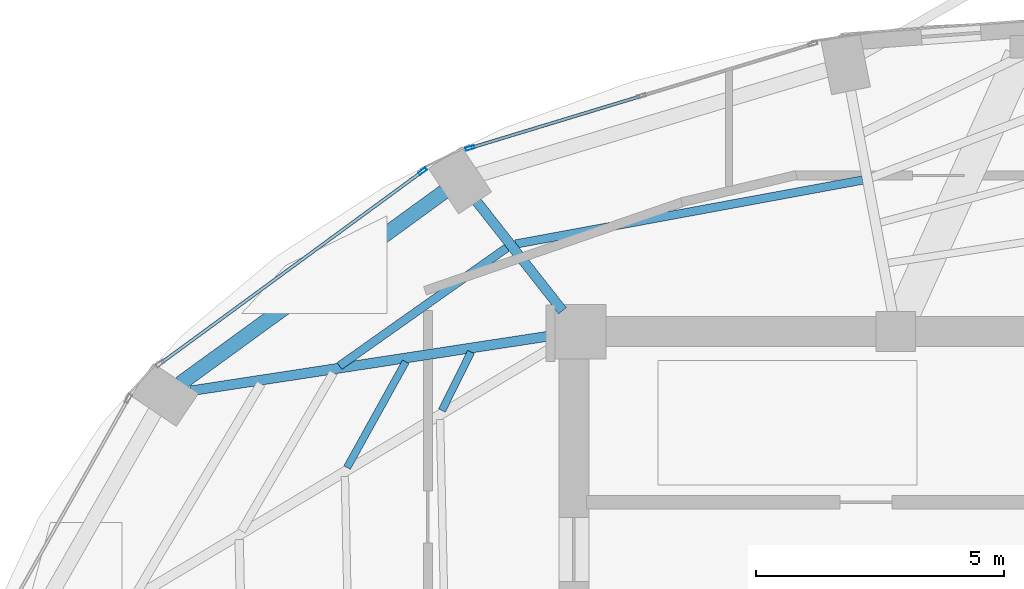
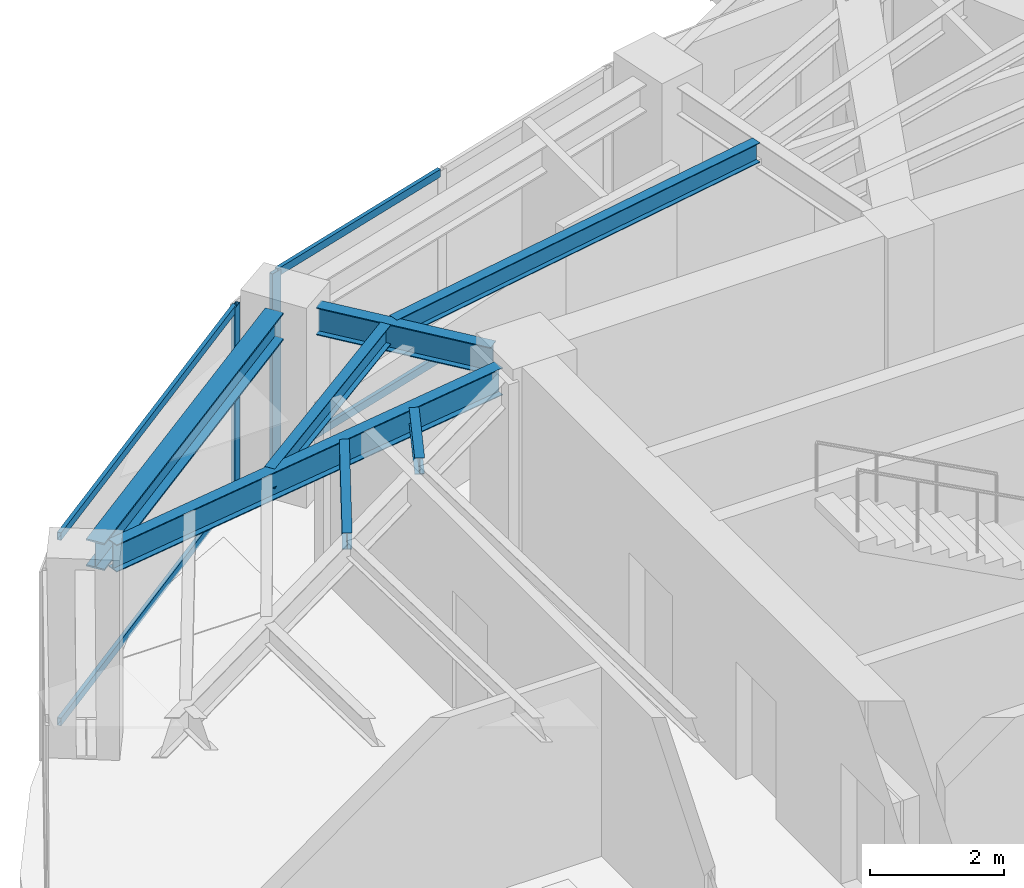
# One storey, part 8 of 21: 7 beams, 6 members, 2 elements without a shape of their own.
"""IFC4 building model written with IfcOpenShell, lengths in metres."""

from ifc_helpers import new_model, si_unit, direction, frame, origin, origin_2d, place, context, subcontext, project, spatial, hollow_rectangle, i_section, extrude, material, layer, layer_set, material_profile, profile_set, type_object, element, aggregate, save


model = new_model("IFC4")

# Units and contexts
model_context = context("Model", 3, precision=1e-05, world=origin(), true_north=direction((0.0, 1.0)))
body_context = subcontext(model_context, "Body", "Model", "MODEL_VIEW")
ifc_project = project(units=[si_unit("LENGTHUNIT", "METRE"), si_unit("AREAUNIT", "SQUARE_METRE"), si_unit("VOLUMEUNIT", "CUBIC_METRE"), si_unit("PLANEANGLEUNIT", "RADIAN"), si_unit("MASSUNIT", "GRAM", prefix="KILO")], contexts=[model_context])

# Site, building, storey
site_placement = place(None, origin())
site = spatial("IfcSite", under=ifc_project, at=site_placement, CompositionType="ELEMENT")
building_placement = place(site_placement, origin())
building = spatial("IfcBuilding", under=site, at=building_placement, Name="Lazwardi Medical Tower", CompositionType="ELEMENT")
storey_placement = place(building_placement, frame((0.0, 0.0, 216.719970703125)))
storey = spatial("IfcBuildingStorey", under=building, at=storey_placement, Name="L56", CompositionType="ELEMENT", Elevation=216.719970703125)

# Beams
ifc_material_1 = material(Name="Steel S355", Category="steel")
ifc_material_profile_1 = material_profile(ifc_material_1, i_section(OverallWidth=0.300048828125, OverallDepth=0.5, WebThickness=0.014404296875, FlangeThickness=0.028076171875, at=origin_2d()), Name="HEB 500")
ifc_profile_set_1 = profile_set([ifc_material_profile_1], Name="Steel S355")
beam_type_1 = type_object("IfcBeamType", Name="BM-RB-Z4", PredefinedType="BEAM", material=ifc_profile_set_1)
beam_1_placement = place(storey_placement, frame((23.68408203125, 38.4248046875, 3.197998046875), z_axis=(-0.808889916254, -0.587960120571, 0.0), x_axis=(0.587960120571, -0.808889916254, 0.0)))
element("IfcBeam", 1, at=beam_1_placement, inside=storey, type_object=beam_type_1, Name="Ring beam RB-05 B10 L56", PredefinedType="BEAM", context=body_context, shape_type="SweptSolid", body=[
    extrude(i_section(OverallWidth=0.300048828125, OverallDepth=0.5, WebThickness=0.014404296875, FlangeThickness=0.028076171875, at=origin_2d()), origin(), (0.0, 0.0, 1.0), 6.587158203125),
])
ifc_material_profile_2 = material_profile(ifc_material_1, i_section(OverallWidth=0.199951171875, OverallDepth=0.5, WebThickness=0.01025390625, FlangeThickness=0.01611328125, at=origin_2d()), Name="IPE 500")
ifc_profile_set_2 = profile_set([ifc_material_profile_2], Name="Steel S355")
beam_type_2 = type_object("IfcBeamType", Name="BM-RG-W3", PredefinedType="BEAM", material=ifc_profile_set_2)
beam_2_placement = place(storey_placement, frame((24.330322265625, 38.2333984375, 3.197998046875), z_axis=(0.617890508382, -0.786264153864, 0.0), x_axis=(0.786264153864, 0.617890508382, 0.0)))
element("IfcBeam", 2, at=beam_2_placement, inside=storey, type_object=beam_type_2, Name="Radial girder RG-04 R10 L56", PredefinedType="BEAM", context=body_context, shape_type="SweptSolid", body=[
    extrude(i_section(OverallWidth=0.199951171875, OverallDepth=0.5, WebThickness=0.01025390625, FlangeThickness=0.01611328125, at=origin_2d()), origin(), (0.0, 0.0, 1.0), 2.814453125),
])
beam_3_placement = place(storey_placement, frame((18.569091796875, 34.4033203125, 3.197998046875), z_axis=(0.988522137285, 0.151076087115, 0.0), x_axis=(-0.151076087115, 0.988522137285, 0.0)))
element("IfcBeam", 3, at=beam_3_placement, inside=storey, type_object=beam_type_2, Name="Radial girder RG-04 R11 L56", PredefinedType="BEAM", context=body_context, shape_type="SweptSolid", body=[
    extrude(i_section(OverallWidth=0.199951171875, OverallDepth=0.5, WebThickness=0.01025390625, FlangeThickness=0.01611328125, at=origin_2d()), origin(), (0.0, 0.0, 1.0), 7.38671875),
])
ifc_material_profile_3 = material_profile(ifc_material_1, i_section(OverallWidth=0.169921875, OverallDepth=0.360107421875, WebThickness=0.008056640625, FlangeThickness=0.0126953125, at=origin_2d()), Name="IPE 360")
ifc_profile_set_3 = profile_set([ifc_material_profile_3], Name="Steel S355")
beam_type_3 = type_object("IfcBeamType", Name="BM-SJ-02", PredefinedType="JOIST", material=ifc_profile_set_3)
beam_4_placement = place(storey_placement, frame((32.12890625, 38.65771484375, 3.26806640625), z_axis=(-0.983427965623, -0.181299300688, 0.0), x_axis=(0.181299300688, -0.983427965623, 0.0)))
element("IfcBeam", 4, at=beam_4_placement, inside=storey, type_object=beam_type_3, Name="Secondary joist SJ-02 R2 B09 L56", PredefinedType="JOIST", context=body_context, shape_type="SweptSolid", body=[
    extrude(i_section(OverallWidth=0.169921875, OverallDepth=0.360107421875, WebThickness=0.008056640625, FlangeThickness=0.0126953125, at=origin_2d()), origin(), (0.0, 0.0, 1.0), 7.127685546875),
])
beam_5_placement = place(storey_placement, frame((24.948486328125, 37.29345703125, 3.26806640625), z_axis=(-0.816711190406, -0.577046645832, 0.0), x_axis=(0.577046645832, -0.816711190406, 0.0)))
element("IfcBeam", 5, at=beam_5_placement, inside=storey, type_object=beam_type_3, Name="Secondary joist SJ-02 R2 B10 L56", PredefinedType="JOIST", context=body_context, shape_type="SweptSolid", body=[
    extrude(i_section(OverallWidth=0.169921875, OverallDepth=0.360107421875, WebThickness=0.008056640625, FlangeThickness=0.0126953125, at=origin_2d()), origin(), (0.0, 0.0, 1.0), 4.139892578125),
])
ifc_material_profile_4 = material_profile(ifc_material_1, i_section(OverallWidth=0.14990234375, OverallDepth=0.300048828125, WebThickness=0.007080078125, FlangeThickness=0.0107421875, at=origin_2d()), Name="IPE 300")
ifc_profile_set_4 = profile_set([ifc_material_profile_4], Name="Steel S355")
beam_type_4 = type_object("IfcBeamType", Name="BM-SJ-03", PredefinedType="JOIST", material=ifc_profile_set_4)
beam_6_placement = place(storey_placement, frame((22.904296875, 34.98974609375, 3.298095703125), z_axis=(-0.484751625998, -0.874651851363, 0.0), x_axis=(0.874651851363, -0.484751625998, 0.0)))
element("IfcBeam", 6, at=beam_6_placement, inside=storey, type_object=beam_type_4, Name="Secondary joist SJ-03 R3 B11 L56", PredefinedType="JOIST", context=body_context, shape_type="SweptSolid", body=[
    extrude(i_section(OverallWidth=0.14990234375, OverallDepth=0.300048828125, WebThickness=0.007080078125, FlangeThickness=0.0107421875, at=origin_2d()), origin(), (0.0, 0.0, 1.0), 2.442626953125),
])
beam_7_placement = place(storey_placement, frame((24.222412109375, 35.188720703125, 3.298095703125), z_axis=(-0.443587297772, -0.89623116954, 0.0), x_axis=(0.89623116954, -0.443587297772, 0.0)))
element("IfcBeam", 7, at=beam_7_placement, inside=storey, type_object=beam_type_4, Name="Secondary joist SJ-03 R4 B11 L56", PredefinedType="JOIST", context=body_context, shape_type="SweptSolid", body=[
    extrude(i_section(OverallWidth=0.14990234375, OverallDepth=0.300048828125, WebThickness=0.007080078125, FlangeThickness=0.0107421875, at=origin_2d()), origin(), (0.0, 0.0, 1.0), 1.32080078125),
])

# Curtain wall, member
ifc_material_2 = material(Name="Anodised bronze aluminium and solar control glazing", Category="aluminium")
ifc_layer = layer(ifc_material_2, 0.18994140625)
ifc_layer_set = layer_set([ifc_layer], Name="Anodised bronze aluminium and solar control glazing")
curtain_wall_type = type_object("IfcCurtainWallType", Name="CW-SYS-04", PredefinedType="NOTDEFINED", material=ifc_layer_set)
curtain_wall_1_placement = place(storey_placement, origin())
curtain_wall_1 = element("IfcCurtainWall", 8, at=curtain_wall_1_placement, inside=storey, type_object=curtain_wall_type, Name="L56 Unitised bronze curtain wall CW-04", PredefinedType="NOTDEFINED")
ifc_material_3 = material(Name="Anodised bronze aluminium", Category="aluminium")
ifc_material_profile_5 = material_profile(ifc_material_3, hollow_rectangle(XDim=0.06494140625, YDim=0.179931640625, WallThickness=0.00390625, at=origin_2d()), Name="ALU-MULLION 180x65x4")
ifc_profile_set_5 = profile_set([ifc_material_profile_5], Name="Anodised bronze aluminium")
member_type_1 = type_object("IfcMemberType", Name="CW-MUL-03", PredefinedType="MULLION", material=ifc_profile_set_5)
member_1_placement = place(storey_placement, frame((24.2001953125, 39.303466796875, 0.0), z_axis=(0.0, 0.0, 1.0), x_axis=(0.290581889515, -0.956850126972, 0.0)))
member_1 = element("IfcMember", 9, at=member_1_placement, type_object=member_type_1, Name="CW-04 mullion 3", PredefinedType="MULLION", context=body_context, shape_type="SweptSolid", body=[
    extrude(hollow_rectangle(XDim=0.06494140625, YDim=0.179931640625, WallThickness=0.00390625, at=origin_2d()), origin(), (0.0, 0.0, 1.0), 3.447998046875),
])

curtain_wall_2_placement = place(storey_placement, origin())
curtain_wall_2 = element("IfcCurtainWall", 10, at=curtain_wall_2_placement, inside=storey, type_object=curtain_wall_type, Name="L56 Unitised bronze curtain wall CW-04", PredefinedType="NOTDEFINED")
member_2_placement = place(storey_placement, frame((23.24462890625, 38.8349609375, 0.0), z_axis=(0.0, 0.0, 1.0), x_axis=(0.591268230971, -0.806474971121, 0.0)))
member_2 = element("IfcMember", 11, at=member_2_placement, type_object=member_type_1, Name="CW-04 mullion 1", PredefinedType="MULLION", context=body_context, shape_type="SweptSolid", body=[
    extrude(hollow_rectangle(XDim=0.06494140625, YDim=0.179931640625, WallThickness=0.00390625, at=origin_2d()), origin(), (0.0, 0.0, 1.0), 3.447998046875),
])

# Member
ifc_material_profile_6 = material_profile(ifc_material_3, hollow_rectangle(XDim=0.06494140625, YDim=0.139892578125, WallThickness=0.00341796875, at=origin_2d()), Name="ALU-TRANSOM 140x65x3.5")
ifc_profile_set_6 = profile_set([ifc_material_profile_6], Name="Anodised bronze aluminium")
member_type_2 = type_object("IfcMemberType", Name="CW-TRN-03", PredefinedType="USERDEFINED", material=ifc_profile_set_6)
member_3_placement = place(storey_placement, frame((27.632568359375, 40.345947265625, 0.032470703125), z_axis=(-0.956843409009, -0.290604010015, 0.0), x_axis=(0.290604010015, -0.956843409009, 0.0)))
member_3 = element("IfcMember", 12, at=member_3_placement, type_object=member_type_2, Name="CW-04 transom 2.1", ObjectType="TRANSOM", PredefinedType="USERDEFINED", context=body_context, shape_type="SweptSolid", body=[
    extrude(hollow_rectangle(XDim=0.06494140625, YDim=0.139892578125, WallThickness=0.00341796875, at=origin_2d()), origin(), (0.0, 0.0, 1.0), 3.554443359375),
])

member_4_placement = place(storey_placement, frame((27.632568359375, 40.345947265625, 3.41552734375), z_axis=(-0.956843409009, -0.290604010015, 0.0), x_axis=(0.290604010015, -0.956843409009, 0.0)))
member_4 = element("IfcMember", 13, at=member_4_placement, type_object=member_type_2, Name="CW-04 transom 2.2", ObjectType="TRANSOM", PredefinedType="USERDEFINED", context=body_context, shape_type="SweptSolid", body=[
    extrude(hollow_rectangle(XDim=0.06494140625, YDim=0.139892578125, WallThickness=0.00341796875, at=origin_2d()), origin(), (0.0, 0.0, 1.0), 3.554443359375),
])

aggregate(curtain_wall_1, [member_1, member_3, member_4])

member_5_placement = place(storey_placement, frame((23.218505859375, 38.815673828125, 0.032470703125), z_axis=(-0.80648973359, -0.591248094808, 0.0), x_axis=(0.591248094808, -0.80648973359, 0.0)))
member_5 = element("IfcMember", 14, at=member_5_placement, type_object=member_type_2, Name="CW-04 transom 1.1", ObjectType="TRANSOM", PredefinedType="USERDEFINED", context=body_context, shape_type="SweptSolid", body=[
    extrude(hollow_rectangle(XDim=0.06494140625, YDim=0.139892578125, WallThickness=0.00341796875, at=origin_2d()), origin(), (0.0, 0.0, 1.0), 6.502685546875),
])

member_6_placement = place(storey_placement, frame((23.218505859375, 38.815673828125, 3.41552734375), z_axis=(-0.80648973359, -0.591248094808, 0.0), x_axis=(0.591248094808, -0.80648973359, 0.0)))
member_6 = element("IfcMember", 15, at=member_6_placement, type_object=member_type_2, Name="CW-04 transom 1.2", ObjectType="TRANSOM", PredefinedType="USERDEFINED", context=body_context, shape_type="SweptSolid", body=[
    extrude(hollow_rectangle(XDim=0.06494140625, YDim=0.139892578125, WallThickness=0.00341796875, at=origin_2d()), origin(), (0.0, 0.0, 1.0), 6.502685546875),
])

aggregate(curtain_wall_2, [member_2, member_5, member_6])

save(model, "model.ifc")
